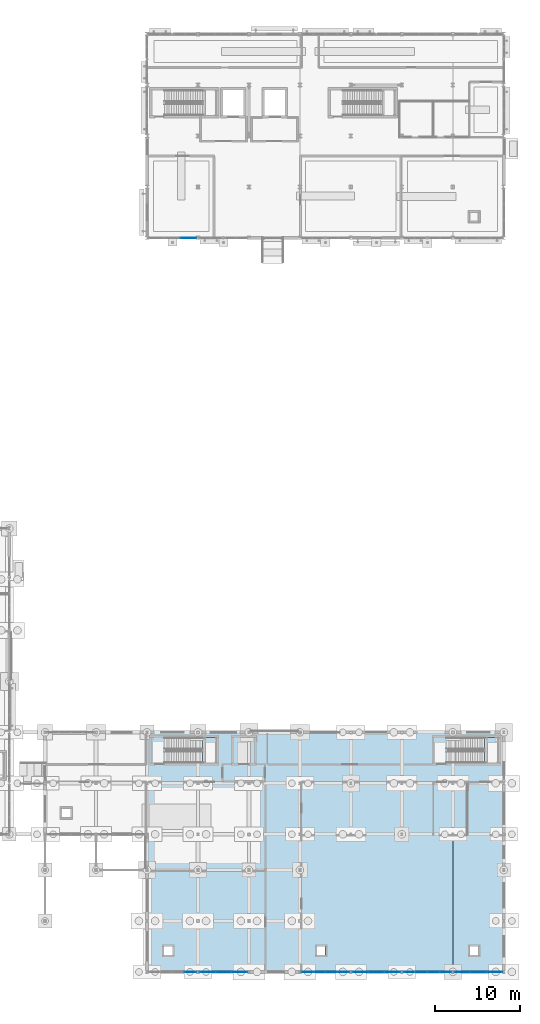
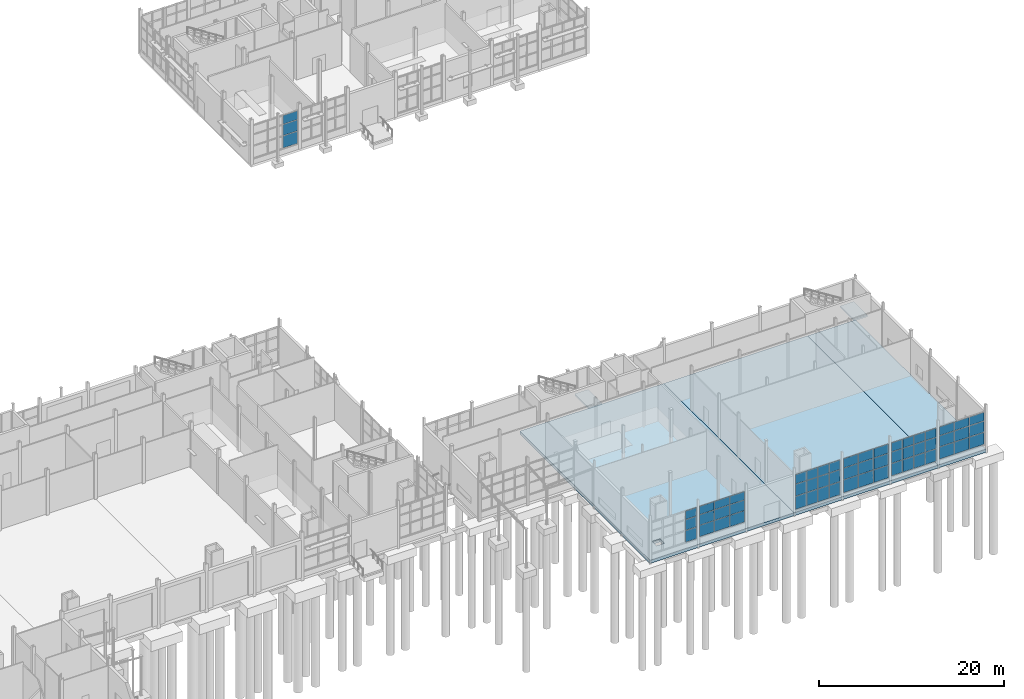
# One storey, part 74 of 120: 57 plates, 5 slabs, 9 elements without a shape of their own.
"""IFC4 building model written with IfcOpenShell, lengths in metres."""

from ifc_helpers import new_model, si_unit, direction, frame, origin, origin_2d, place, context, subcontext, project, spatial, polyline, rectangle, outline, extrude, material, layer, layer_set, type_object, element, aggregate, save


model = new_model("IFC4")

# Units and contexts
model_context = context("Model", 3, precision=1e-05, world=origin(), true_north=direction((0.0, 1.0)))
body_context = subcontext(model_context, "Body", "Model", "MODEL_VIEW")
ifc_project = project(units=[si_unit("LENGTHUNIT", "METRE"), si_unit("AREAUNIT", "SQUARE_METRE"), si_unit("VOLUMEUNIT", "CUBIC_METRE"), si_unit("PLANEANGLEUNIT", "RADIAN"), si_unit("MASSUNIT", "GRAM", prefix="KILO")], contexts=[model_context])

# Site, building, storey
site_placement = place(None, origin())
site = spatial("IfcSite", under=ifc_project, at=site_placement, CompositionType="ELEMENT")
building_placement = place(site_placement, origin())
building = spatial("IfcBuilding", under=site, at=building_placement, Name="Siltcreek Boulevard Central Fire Station", CompositionType="ELEMENT")
storey_placement = place(building_placement, origin())
storey = spatial("IfcBuildingStorey", under=building, at=storey_placement, Name="L01", CompositionType="ELEMENT", Elevation=0.0)

# Curtain wall, plates
ifc_material_1 = material(Name="Anodized aluminum and low-E insulated glazing", Category="aluminium")
curtain_wall_type_1 = type_object("IfcCurtainWallType", Name="CW_SYS_10", PredefinedType="USERDEFINED", material=ifc_material_1)
curtain_wall_1_placement = place(storey_placement, origin())
curtain_wall_1 = element("IfcCurtainWall", 1, at=curtain_wall_1_placement, inside=storey, type_object=curtain_wall_type_1, Name="L01 V5 unitised curtain wall CW-099", ObjectType="CURTAIN WALL", PredefinedType="USERDEFINED")
ifc_material_2 = material(Name="Low-E double insulated glass unit", Category="glass")
ifc_layer_1 = layer(ifc_material_2, 0.028076171875, Name="Low-E double insulated glass unit")
ifc_layer_set_1 = layer_set([ifc_layer_1], Name="Low-E double insulated glass unit")
plate_type_1 = type_object("IfcPlateType", Name="CWP_GLZ_1", PredefinedType="CURTAIN_PANEL", material=ifc_layer_set_1)
plate_1_placement = place(storey_placement, frame((129.08837890625, 88.199951171875, 0.740234375), z_axis=(0.0, 0.0, 1.0), x_axis=(1.0, 0.0, 0.0)))
plate_1 = element("IfcPlate", 2, at=plate_1_placement, type_object=plate_type_1, Name="CW-099 panel 3.1", PredefinedType="CURTAIN_PANEL", context=body_context, shape_type="SweptSolid", body=[
    extrude(rectangle(XDim=1.813232421875, YDim=0.028076171875, at=origin_2d()), origin(), (0.0, 0.0, 1.0), 1.594482421875),
])
plate_2_placement = place(storey_placement, frame((129.08837890625, 88.199951171875, 2.39453125), z_axis=(0.0, 0.0, 1.0), x_axis=(1.0, 0.0, 0.0)))
plate_2 = element("IfcPlate", 3, at=plate_2_placement, type_object=plate_type_1, Name="CW-099 panel 3.2", PredefinedType="CURTAIN_PANEL", context=body_context, shape_type="SweptSolid", body=[
    extrude(rectangle(XDim=1.813232421875, YDim=0.028076171875, at=origin_2d()), origin(), (0.0, 0.0, 1.0), 1.447265625),
])
plate_3_placement = place(storey_placement, frame((129.08837890625, 88.199951171875, 3.90185546875), z_axis=(0.0, 0.0, 1.0), x_axis=(1.0, 0.0, 0.0)))
plate_3 = element("IfcPlate", 4, at=plate_3_placement, type_object=plate_type_1, Name="CW-099 panel 3.3", PredefinedType="CURTAIN_PANEL", context=body_context, shape_type="SweptSolid", body=[
    extrude(rectangle(XDim=1.813232421875, YDim=0.028076171875, at=origin_2d()), origin(), (0.0, 0.0, 1.0), 1.151123046875),
])
aggregate(curtain_wall_1, [plate_1, plate_2, plate_3])

curtain_wall_type_2 = type_object("IfcCurtainWallType", Name="CW_SYS_07", PredefinedType="USERDEFINED", material=ifc_material_1)
curtain_wall_2_placement = place(storey_placement, origin())
curtain_wall_2 = element("IfcCurtainWall", 5, at=curtain_wall_2_placement, inside=storey, type_object=curtain_wall_type_2, Name="L01 V6 unitised curtain wall CW-186", ObjectType="CURTAIN WALL", PredefinedType="USERDEFINED")
plate_4_placement = place(storey_placement, frame((143.074951171875, 1.800048828125, 0.38525390625), z_axis=(0.0, 0.0, 1.0), x_axis=(1.0, 0.0, 0.0)))
plate_4 = element("IfcPlate", 6, at=plate_4_placement, type_object=plate_type_1, Name="CW-186 panel 1.1", PredefinedType="CURTAIN_PANEL", context=body_context, shape_type="SweptSolid", body=[
    extrude(rectangle(XDim=1.330078125, YDim=0.028076171875, at=origin_2d()), origin(), (0.0, 0.0, 1.0), 1.694091796875),
])
plate_5_placement = place(storey_placement, frame((143.074951171875, 1.800048828125, 2.144287109375), z_axis=(0.0, 0.0, 1.0), x_axis=(1.0, 0.0, 0.0)))
plate_5 = element("IfcPlate", 7, at=plate_5_placement, type_object=plate_type_1, Name="CW-186 panel 1.2", PredefinedType="CURTAIN_PANEL", context=body_context, shape_type="SweptSolid", body=[
    extrude(rectangle(XDim=1.330078125, YDim=0.028076171875, at=origin_2d()), origin(), (0.0, 0.0, 1.0), 1.5380859375),
])
plate_6_placement = place(storey_placement, frame((143.074951171875, 1.800048828125, 3.747314453125), z_axis=(0.0, 0.0, 1.0), x_axis=(1.0, 0.0, 0.0)))
plate_6 = element("IfcPlate", 8, at=plate_6_placement, type_object=plate_type_1, Name="CW-186 panel 1.3", PredefinedType="CURTAIN_PANEL", context=body_context, shape_type="SweptSolid", body=[
    extrude(rectangle(XDim=1.330078125, YDim=0.028076171875, at=origin_2d()), origin(), (0.0, 0.0, 1.0), 1.22265625),
])
plate_7_placement = place(storey_placement, frame((144.486328125, 1.800048828125, 0.38525390625), z_axis=(0.0, 0.0, 1.0), x_axis=(1.0, 0.0, 0.0)))
plate_7 = element("IfcPlate", 9, at=plate_7_placement, type_object=plate_type_1, Name="CW-186 panel 2.1", PredefinedType="CURTAIN_PANEL", context=body_context, shape_type="SweptSolid", body=[
    extrude(rectangle(XDim=1.362548828125, YDim=0.028076171875, at=origin_2d()), origin(), (0.0, 0.0, 1.0), 1.694091796875),
])
plate_8_placement = place(storey_placement, frame((144.486328125, 1.800048828125, 2.144287109375), z_axis=(0.0, 0.0, 1.0), x_axis=(1.0, 0.0, 0.0)))
plate_8 = element("IfcPlate", 10, at=plate_8_placement, type_object=plate_type_1, Name="CW-186 panel 2.2", PredefinedType="CURTAIN_PANEL", context=body_context, shape_type="SweptSolid", body=[
    extrude(rectangle(XDim=1.362548828125, YDim=0.028076171875, at=origin_2d()), origin(), (0.0, 0.0, 1.0), 1.5380859375),
])
plate_9_placement = place(storey_placement, frame((144.486328125, 1.800048828125, 3.747314453125), z_axis=(0.0, 0.0, 1.0), x_axis=(1.0, 0.0, 0.0)))
plate_9 = element("IfcPlate", 11, at=plate_9_placement, type_object=plate_type_1, Name="CW-186 panel 2.3", PredefinedType="CURTAIN_PANEL", context=body_context, shape_type="SweptSolid", body=[
    extrude(rectangle(XDim=1.362548828125, YDim=0.028076171875, at=origin_2d()), origin(), (0.0, 0.0, 1.0), 1.22265625),
])
plate_10_placement = place(storey_placement, frame((145.913818359375, 1.800048828125, 0.38525390625), z_axis=(0.0, 0.0, 1.0), x_axis=(1.0, 0.0, 0.0)))
plate_10 = element("IfcPlate", 12, at=plate_10_placement, type_object=plate_type_1, Name="CW-186 panel 3.1", PredefinedType="CURTAIN_PANEL", context=body_context, shape_type="SweptSolid", body=[
    extrude(rectangle(XDim=1.362548828125, YDim=0.028076171875, at=origin_2d()), origin(), (0.0, 0.0, 1.0), 1.694091796875),
])
plate_11_placement = place(storey_placement, frame((145.913818359375, 1.800048828125, 2.144287109375), z_axis=(0.0, 0.0, 1.0), x_axis=(1.0, 0.0, 0.0)))
plate_11 = element("IfcPlate", 13, at=plate_11_placement, type_object=plate_type_1, Name="CW-186 panel 3.2", PredefinedType="CURTAIN_PANEL", context=body_context, shape_type="SweptSolid", body=[
    extrude(rectangle(XDim=1.362548828125, YDim=0.028076171875, at=origin_2d()), origin(), (0.0, 0.0, 1.0), 1.5380859375),
])
plate_12_placement = place(storey_placement, frame((145.913818359375, 1.800048828125, 3.747314453125), z_axis=(0.0, 0.0, 1.0), x_axis=(1.0, 0.0, 0.0)))
plate_12 = element("IfcPlate", 14, at=plate_12_placement, type_object=plate_type_1, Name="CW-186 panel 3.3", PredefinedType="CURTAIN_PANEL", context=body_context, shape_type="SweptSolid", body=[
    extrude(rectangle(XDim=1.362548828125, YDim=0.028076171875, at=origin_2d()), origin(), (0.0, 0.0, 1.0), 1.22265625),
])
plate_13_placement = place(storey_placement, frame((147.324951171875, 1.800048828125, 0.38525390625), z_axis=(0.0, 0.0, 1.0), x_axis=(1.0, 0.0, 0.0)))
plate_13 = element("IfcPlate", 15, at=plate_13_placement, type_object=plate_type_1, Name="CW-186 panel 4.1", PredefinedType="CURTAIN_PANEL", context=body_context, shape_type="SweptSolid", body=[
    extrude(rectangle(XDim=1.330078125, YDim=0.028076171875, at=origin_2d()), origin(), (0.0, 0.0, 1.0), 1.694091796875),
])
plate_14_placement = place(storey_placement, frame((147.324951171875, 1.800048828125, 2.144287109375), z_axis=(0.0, 0.0, 1.0), x_axis=(1.0, 0.0, 0.0)))
plate_14 = element("IfcPlate", 16, at=plate_14_placement, type_object=plate_type_1, Name="CW-186 panel 4.2", PredefinedType="CURTAIN_PANEL", context=body_context, shape_type="SweptSolid", body=[
    extrude(rectangle(XDim=1.330078125, YDim=0.028076171875, at=origin_2d()), origin(), (0.0, 0.0, 1.0), 1.5380859375),
])
plate_15_placement = place(storey_placement, frame((147.324951171875, 1.800048828125, 3.747314453125), z_axis=(0.0, 0.0, 1.0), x_axis=(1.0, 0.0, 0.0)))
plate_15 = element("IfcPlate", 17, at=plate_15_placement, type_object=plate_type_1, Name="CW-186 panel 4.3", PredefinedType="CURTAIN_PANEL", context=body_context, shape_type="SweptSolid", body=[
    extrude(rectangle(XDim=1.330078125, YDim=0.028076171875, at=origin_2d()), origin(), (0.0, 0.0, 1.0), 1.22265625),
])
aggregate(curtain_wall_2, [plate_4, plate_5, plate_6, plate_7, plate_8, plate_9, plate_10, plate_11, plate_12, plate_13, plate_14, plate_15])

curtain_wall_3_placement = place(storey_placement, origin())
curtain_wall_3 = element("IfcCurtainWall", 18, at=curtain_wall_3_placement, inside=storey, type_object=curtain_wall_type_1, Name="L01 V6 unitised curtain wall CW-189", ObjectType="CURTAIN WALL", PredefinedType="USERDEFINED")
plate_16_placement = place(storey_placement, frame((161.311767578125, 1.800048828125, 0.739990234375), z_axis=(0.0, 0.0, 1.0), x_axis=(1.0, 0.0, 0.0)))
plate_16 = element("IfcPlate", 19, at=plate_16_placement, type_object=plate_type_1, Name="CW-189 panel 1.1", PredefinedType="CURTAIN_PANEL", context=body_context, shape_type="SweptSolid", body=[
    extrude(rectangle(XDim=1.813232421875, YDim=0.028076171875, at=origin_2d()), origin(), (0.0, 0.0, 1.0), 1.56494140625),
])
plate_17_placement = place(storey_placement, frame((161.311767578125, 1.800048828125, 2.36474609375), z_axis=(0.0, 0.0, 1.0), x_axis=(1.0, 0.0, 0.0)))
plate_17 = element("IfcPlate", 20, at=plate_17_placement, type_object=plate_type_1, Name="CW-189 panel 1.2", PredefinedType="CURTAIN_PANEL", context=body_context, shape_type="SweptSolid", body=[
    extrude(rectangle(XDim=1.813232421875, YDim=0.028076171875, at=origin_2d()), origin(), (0.0, 0.0, 1.0), 1.420654296875),
])
plate_18_placement = place(storey_placement, frame((161.311767578125, 1.800048828125, 3.845703125), z_axis=(0.0, 0.0, 1.0), x_axis=(1.0, 0.0, 0.0)))
plate_18 = element("IfcPlate", 21, at=plate_18_placement, type_object=plate_type_1, Name="CW-189 panel 1.3", PredefinedType="CURTAIN_PANEL", context=body_context, shape_type="SweptSolid", body=[
    extrude(rectangle(XDim=1.813232421875, YDim=0.028076171875, at=origin_2d()), origin(), (0.0, 0.0, 1.0), 1.12939453125),
])
plate_19_placement = place(storey_placement, frame((163.199951171875, 1.800048828125, 0.739990234375), z_axis=(0.0, 0.0, 1.0), x_axis=(1.0, 0.0, 0.0)))
plate_19 = element("IfcPlate", 22, at=plate_19_placement, type_object=plate_type_1, Name="CW-189 panel 2.1", PredefinedType="CURTAIN_PANEL", context=body_context, shape_type="SweptSolid", body=[
    extrude(rectangle(XDim=1.84326171875, YDim=0.028076171875, at=origin_2d()), origin(), (0.0, 0.0, 1.0), 1.56494140625),
])
plate_20_placement = place(storey_placement, frame((163.199951171875, 1.800048828125, 2.36474609375), z_axis=(0.0, 0.0, 1.0), x_axis=(1.0, 0.0, 0.0)))
plate_20 = element("IfcPlate", 23, at=plate_20_placement, type_object=plate_type_1, Name="CW-189 panel 2.2", PredefinedType="CURTAIN_PANEL", context=body_context, shape_type="SweptSolid", body=[
    extrude(rectangle(XDim=1.84326171875, YDim=0.028076171875, at=origin_2d()), origin(), (0.0, 0.0, 1.0), 1.420654296875),
])
plate_21_placement = place(storey_placement, frame((163.199951171875, 1.800048828125, 3.845703125), z_axis=(0.0, 0.0, 1.0), x_axis=(1.0, 0.0, 0.0)))
plate_21 = element("IfcPlate", 24, at=plate_21_placement, type_object=plate_type_1, Name="CW-189 panel 2.3", PredefinedType="CURTAIN_PANEL", context=body_context, shape_type="SweptSolid", body=[
    extrude(rectangle(XDim=1.84326171875, YDim=0.028076171875, at=origin_2d()), origin(), (0.0, 0.0, 1.0), 1.12939453125),
])
plate_22_placement = place(storey_placement, frame((165.08837890625, 1.800048828125, 0.739990234375), z_axis=(0.0, 0.0, 1.0), x_axis=(1.0, 0.0, 0.0)))
plate_22 = element("IfcPlate", 25, at=plate_22_placement, type_object=plate_type_1, Name="CW-189 panel 3.1", PredefinedType="CURTAIN_PANEL", context=body_context, shape_type="SweptSolid", body=[
    extrude(rectangle(XDim=1.813232421875, YDim=0.028076171875, at=origin_2d()), origin(), (0.0, 0.0, 1.0), 1.56494140625),
])
plate_23_placement = place(storey_placement, frame((165.08837890625, 1.800048828125, 2.36474609375), z_axis=(0.0, 0.0, 1.0), x_axis=(1.0, 0.0, 0.0)))
plate_23 = element("IfcPlate", 26, at=plate_23_placement, type_object=plate_type_1, Name="CW-189 panel 3.2", PredefinedType="CURTAIN_PANEL", context=body_context, shape_type="SweptSolid", body=[
    extrude(rectangle(XDim=1.813232421875, YDim=0.028076171875, at=origin_2d()), origin(), (0.0, 0.0, 1.0), 1.420654296875),
])
plate_24_placement = place(storey_placement, frame((165.08837890625, 1.800048828125, 3.845703125), z_axis=(0.0, 0.0, 1.0), x_axis=(1.0, 0.0, 0.0)))
plate_24 = element("IfcPlate", 27, at=plate_24_placement, type_object=plate_type_1, Name="CW-189 panel 3.3", PredefinedType="CURTAIN_PANEL", context=body_context, shape_type="SweptSolid", body=[
    extrude(rectangle(XDim=1.813232421875, YDim=0.028076171875, at=origin_2d()), origin(), (0.0, 0.0, 1.0), 1.12939453125),
])
aggregate(curtain_wall_3, [plate_16, plate_17, plate_18, plate_19, plate_20, plate_21, plate_22, plate_23, plate_24])

curtain_wall_type_3 = type_object("IfcCurtainWallType", Name="CW_SYS_05", PredefinedType="USERDEFINED", material=ifc_material_1)
curtain_wall_4_placement = place(storey_placement, origin())
curtain_wall_4 = element("IfcCurtainWall", 28, at=curtain_wall_4_placement, inside=storey, type_object=curtain_wall_type_3, Name="L01 V6 unitised curtain wall CW-184", ObjectType="CURTAIN WALL", PredefinedType="USERDEFINED")
ifc_layer_2 = layer(ifc_material_2, 0.0380859375, Name="Low-E double insulated glass unit")
ifc_layer_set_2 = layer_set([ifc_layer_2], Name="Low-E double insulated glass unit")
plate_type_2 = type_object("IfcPlateType", Name="CWP_GLZ_2", PredefinedType="CURTAIN_PANEL", material=ifc_layer_set_2)
plate_25_placement = place(storey_placement, frame((129.324951171875, 1.800048828125, 0.864990234375), z_axis=(0.0, 0.0, 1.0), x_axis=(1.0, 0.0, 0.0)))
plate_25 = element("IfcPlate", 29, at=plate_25_placement, type_object=plate_type_2, Name="CW-184 panel 4.1", PredefinedType="CURTAIN_PANEL", context=body_context, shape_type="SweptSolid", body=[
    extrude(rectangle(XDim=1.330078125, YDim=0.0380859375, at=origin_2d()), origin(), (0.0, 0.0, 1.0), 1.51171875),
])
plate_26_placement = place(storey_placement, frame((129.324951171875, 1.800048828125, 2.441650390625), z_axis=(0.0, 0.0, 1.0), x_axis=(1.0, 0.0, 0.0)))
plate_26 = element("IfcPlate", 30, at=plate_26_placement, type_object=plate_type_2, Name="CW-184 panel 4.2", PredefinedType="CURTAIN_PANEL", context=body_context, shape_type="SweptSolid", body=[
    extrude(rectangle(XDim=1.330078125, YDim=0.0380859375, at=origin_2d()), origin(), (0.0, 0.0, 1.0), 1.375),
])
plate_27_placement = place(storey_placement, frame((129.324951171875, 1.800048828125, 3.881591796875), z_axis=(0.0, 0.0, 1.0), x_axis=(1.0, 0.0, 0.0)))
plate_27 = element("IfcPlate", 31, at=plate_27_placement, type_object=plate_type_2, Name="CW-184 panel 4.3", PredefinedType="CURTAIN_PANEL", context=body_context, shape_type="SweptSolid", body=[
    extrude(rectangle(XDim=1.330078125, YDim=0.0380859375, at=origin_2d()), origin(), (0.0, 0.0, 1.0), 1.08837890625),
])
aggregate(curtain_wall_4, [plate_25, plate_26, plate_27])

curtain_wall_type_4 = type_object("IfcCurtainWallType", Name="CW_SYS_08", PredefinedType="USERDEFINED", material=ifc_material_1)
curtain_wall_5_placement = place(storey_placement, origin())
curtain_wall_5 = element("IfcCurtainWall", 32, at=curtain_wall_5_placement, inside=storey, type_object=curtain_wall_type_4, Name="L01 V6 unitised curtain wall CW-187", ObjectType="CURTAIN WALL", PredefinedType="USERDEFINED")
plate_28_placement = place(storey_placement, frame((149.311767578125, 1.800048828125, 0.5), z_axis=(0.0, 0.0, 1.0), x_axis=(1.0, 0.0, 0.0)))
plate_28 = element("IfcPlate", 33, at=plate_28_placement, type_object=plate_type_2, Name="CW-187 panel 1.1", PredefinedType="CURTAIN_PANEL", context=body_context, shape_type="SweptSolid", body=[
    extrude(rectangle(XDim=1.813232421875, YDim=0.0380859375, at=origin_2d()), origin(), (0.0, 0.0, 1.0), 1.656005859375),
])
plate_29_placement = place(storey_placement, frame((149.311767578125, 1.800048828125, 2.21630859375), z_axis=(0.0, 0.0, 1.0), x_axis=(1.0, 0.0, 0.0)))
plate_29 = element("IfcPlate", 34, at=plate_29_placement, type_object=plate_type_2, Name="CW-187 panel 1.2", PredefinedType="CURTAIN_PANEL", context=body_context, shape_type="SweptSolid", body=[
    extrude(rectangle(XDim=1.813232421875, YDim=0.0380859375, at=origin_2d()), origin(), (0.0, 0.0, 1.0), 1.502197265625),
])
plate_30_placement = place(storey_placement, frame((149.311767578125, 1.800048828125, 3.7783203125), z_axis=(0.0, 0.0, 1.0), x_axis=(1.0, 0.0, 0.0)))
plate_30 = element("IfcPlate", 35, at=plate_30_placement, type_object=plate_type_2, Name="CW-187 panel 1.3", PredefinedType="CURTAIN_PANEL", context=body_context, shape_type="SweptSolid", body=[
    extrude(rectangle(XDim=1.813232421875, YDim=0.0380859375, at=origin_2d()), origin(), (0.0, 0.0, 1.0), 1.196533203125),
])
plate_31_placement = place(storey_placement, frame((151.199951171875, 1.800048828125, 0.5), z_axis=(0.0, 0.0, 1.0), x_axis=(1.0, 0.0, 0.0)))
plate_31 = element("IfcPlate", 36, at=plate_31_placement, type_object=plate_type_2, Name="CW-187 panel 2.1", PredefinedType="CURTAIN_PANEL", context=body_context, shape_type="SweptSolid", body=[
    extrude(rectangle(XDim=1.84326171875, YDim=0.0380859375, at=origin_2d()), origin(), (0.0, 0.0, 1.0), 1.656005859375),
])
plate_32_placement = place(storey_placement, frame((151.199951171875, 1.800048828125, 2.21630859375), z_axis=(0.0, 0.0, 1.0), x_axis=(1.0, 0.0, 0.0)))
plate_32 = element("IfcPlate", 37, at=plate_32_placement, type_object=plate_type_2, Name="CW-187 panel 2.2", PredefinedType="CURTAIN_PANEL", context=body_context, shape_type="SweptSolid", body=[
    extrude(rectangle(XDim=1.84326171875, YDim=0.0380859375, at=origin_2d()), origin(), (0.0, 0.0, 1.0), 1.502197265625),
])
plate_33_placement = place(storey_placement, frame((151.199951171875, 1.800048828125, 3.7783203125), z_axis=(0.0, 0.0, 1.0), x_axis=(1.0, 0.0, 0.0)))
plate_33 = element("IfcPlate", 38, at=plate_33_placement, type_object=plate_type_2, Name="CW-187 panel 2.3", PredefinedType="CURTAIN_PANEL", context=body_context, shape_type="SweptSolid", body=[
    extrude(rectangle(XDim=1.84326171875, YDim=0.0380859375, at=origin_2d()), origin(), (0.0, 0.0, 1.0), 1.196533203125),
])
plate_34_placement = place(storey_placement, frame((153.08837890625, 1.800048828125, 0.5), z_axis=(0.0, 0.0, 1.0), x_axis=(1.0, 0.0, 0.0)))
plate_34 = element("IfcPlate", 39, at=plate_34_placement, type_object=plate_type_2, Name="CW-187 panel 3.1", PredefinedType="CURTAIN_PANEL", context=body_context, shape_type="SweptSolid", body=[
    extrude(rectangle(XDim=1.813232421875, YDim=0.0380859375, at=origin_2d()), origin(), (0.0, 0.0, 1.0), 1.656005859375),
])
plate_35_placement = place(storey_placement, frame((153.08837890625, 1.800048828125, 2.21630859375), z_axis=(0.0, 0.0, 1.0), x_axis=(1.0, 0.0, 0.0)))
plate_35 = element("IfcPlate", 40, at=plate_35_placement, type_object=plate_type_2, Name="CW-187 panel 3.2", PredefinedType="CURTAIN_PANEL", context=body_context, shape_type="SweptSolid", body=[
    extrude(rectangle(XDim=1.813232421875, YDim=0.0380859375, at=origin_2d()), origin(), (0.0, 0.0, 1.0), 1.502197265625),
])
plate_36_placement = place(storey_placement, frame((153.08837890625, 1.800048828125, 3.7783203125), z_axis=(0.0, 0.0, 1.0), x_axis=(1.0, 0.0, 0.0)))
plate_36 = element("IfcPlate", 41, at=plate_36_placement, type_object=plate_type_2, Name="CW-187 panel 3.3", PredefinedType="CURTAIN_PANEL", context=body_context, shape_type="SweptSolid", body=[
    extrude(rectangle(XDim=1.813232421875, YDim=0.0380859375, at=origin_2d()), origin(), (0.0, 0.0, 1.0), 1.196533203125),
])
aggregate(curtain_wall_5, [plate_28, plate_29, plate_30, plate_31, plate_32, plate_33, plate_34, plate_35, plate_36])

curtain_wall_type_5 = type_object("IfcCurtainWallType", Name="CW_SYS_06", PredefinedType="USERDEFINED", material=ifc_material_1)
curtain_wall_6_placement = place(storey_placement, origin())
curtain_wall_6 = element("IfcCurtainWall", 42, at=curtain_wall_6_placement, inside=storey, type_object=curtain_wall_type_5, Name="L01 V6 unitised curtain wall CW-185", ObjectType="CURTAIN WALL", PredefinedType="USERDEFINED")
ifc_layer_3 = layer(ifc_material_2, 0.048095703125, Name="Low-E double insulated glass unit")
ifc_layer_set_3 = layer_set([ifc_layer_3], Name="Low-E double insulated glass unit")
plate_type_3 = type_object("IfcPlateType", Name="CWP_GLZ_3", PredefinedType="CURTAIN_PANEL", material=ifc_layer_set_3)
plate_37_placement = place(storey_placement, frame((131.311767578125, 1.800048828125, 0.97998046875), z_axis=(0.0, 0.0, 1.0), x_axis=(1.0, 0.0, 0.0)))
plate_37 = element("IfcPlate", 43, at=plate_37_placement, type_object=plate_type_3, Name="CW-185 panel 1.1", PredefinedType="CURTAIN_PANEL", context=body_context, shape_type="SweptSolid", body=[
    extrude(rectangle(XDim=1.813232421875, YDim=0.048095703125, at=origin_2d()), origin(), (0.0, 0.0, 1.0), 1.4736328125),
])
plate_38_placement = place(storey_placement, frame((131.311767578125, 1.800048828125, 2.513671875), z_axis=(0.0, 0.0, 1.0), x_axis=(1.0, 0.0, 0.0)))
plate_38 = element("IfcPlate", 44, at=plate_38_placement, type_object=plate_type_3, Name="CW-185 panel 1.2", PredefinedType="CURTAIN_PANEL", context=body_context, shape_type="SweptSolid", body=[
    extrude(rectangle(XDim=1.813232421875, YDim=0.048095703125, at=origin_2d()), origin(), (0.0, 0.0, 1.0), 1.339111328125),
])
plate_39_placement = place(storey_placement, frame((131.311767578125, 1.800048828125, 3.91259765625), z_axis=(0.0, 0.0, 1.0), x_axis=(1.0, 0.0, 0.0)))
plate_39 = element("IfcPlate", 45, at=plate_39_placement, type_object=plate_type_3, Name="CW-185 panel 1.3", PredefinedType="CURTAIN_PANEL", context=body_context, shape_type="SweptSolid", body=[
    extrude(rectangle(XDim=1.813232421875, YDim=0.048095703125, at=origin_2d()), origin(), (0.0, 0.0, 1.0), 1.062255859375),
])
plate_40_placement = place(storey_placement, frame((133.199951171875, 1.800048828125, 0.97998046875), z_axis=(0.0, 0.0, 1.0), x_axis=(1.0, 0.0, 0.0)))
plate_40 = element("IfcPlate", 46, at=plate_40_placement, type_object=plate_type_3, Name="CW-185 panel 2.1", PredefinedType="CURTAIN_PANEL", context=body_context, shape_type="SweptSolid", body=[
    extrude(rectangle(XDim=1.84326171875, YDim=0.048095703125, at=origin_2d()), origin(), (0.0, 0.0, 1.0), 1.4736328125),
])
plate_41_placement = place(storey_placement, frame((133.199951171875, 1.800048828125, 2.513671875), z_axis=(0.0, 0.0, 1.0), x_axis=(1.0, 0.0, 0.0)))
plate_41 = element("IfcPlate", 47, at=plate_41_placement, type_object=plate_type_3, Name="CW-185 panel 2.2", PredefinedType="CURTAIN_PANEL", context=body_context, shape_type="SweptSolid", body=[
    extrude(rectangle(XDim=1.84326171875, YDim=0.048095703125, at=origin_2d()), origin(), (0.0, 0.0, 1.0), 1.339111328125),
])
plate_42_placement = place(storey_placement, frame((133.199951171875, 1.800048828125, 3.91259765625), z_axis=(0.0, 0.0, 1.0), x_axis=(1.0, 0.0, 0.0)))
plate_42 = element("IfcPlate", 48, at=plate_42_placement, type_object=plate_type_3, Name="CW-185 panel 2.3", PredefinedType="CURTAIN_PANEL", context=body_context, shape_type="SweptSolid", body=[
    extrude(rectangle(XDim=1.84326171875, YDim=0.048095703125, at=origin_2d()), origin(), (0.0, 0.0, 1.0), 1.062255859375),
])
plate_43_placement = place(storey_placement, frame((135.08837890625, 1.800048828125, 0.97998046875), z_axis=(0.0, 0.0, 1.0), x_axis=(1.0, 0.0, 0.0)))
plate_43 = element("IfcPlate", 49, at=plate_43_placement, type_object=plate_type_3, Name="CW-185 panel 3.1", PredefinedType="CURTAIN_PANEL", context=body_context, shape_type="SweptSolid", body=[
    extrude(rectangle(XDim=1.813232421875, YDim=0.048095703125, at=origin_2d()), origin(), (0.0, 0.0, 1.0), 1.4736328125),
])
plate_44_placement = place(storey_placement, frame((135.08837890625, 1.800048828125, 2.513671875), z_axis=(0.0, 0.0, 1.0), x_axis=(1.0, 0.0, 0.0)))
plate_44 = element("IfcPlate", 50, at=plate_44_placement, type_object=plate_type_3, Name="CW-185 panel 3.2", PredefinedType="CURTAIN_PANEL", context=body_context, shape_type="SweptSolid", body=[
    extrude(rectangle(XDim=1.813232421875, YDim=0.048095703125, at=origin_2d()), origin(), (0.0, 0.0, 1.0), 1.339111328125),
])
plate_45_placement = place(storey_placement, frame((135.08837890625, 1.800048828125, 3.91259765625), z_axis=(0.0, 0.0, 1.0), x_axis=(1.0, 0.0, 0.0)))
plate_45 = element("IfcPlate", 51, at=plate_45_placement, type_object=plate_type_3, Name="CW-185 panel 3.3", PredefinedType="CURTAIN_PANEL", context=body_context, shape_type="SweptSolid", body=[
    extrude(rectangle(XDim=1.813232421875, YDim=0.048095703125, at=origin_2d()), origin(), (0.0, 0.0, 1.0), 1.062255859375),
])
aggregate(curtain_wall_6, [plate_37, plate_38, plate_39, plate_40, plate_41, plate_42, plate_43, plate_44, plate_45])

curtain_wall_type_6 = type_object("IfcCurtainWallType", Name="CW_SYS_09", PredefinedType="USERDEFINED", material=ifc_material_1)
curtain_wall_7_placement = place(storey_placement, origin())
curtain_wall_7 = element("IfcCurtainWall", 52, at=curtain_wall_7_placement, inside=storey, type_object=curtain_wall_type_6, Name="L01 V6 unitised curtain wall CW-188", ObjectType="CURTAIN WALL", PredefinedType="USERDEFINED")
plate_46_placement = place(storey_placement, frame((155.074951171875, 1.800048828125, 0.625), z_axis=(0.0, 0.0, 1.0), x_axis=(1.0, 0.0, 0.0)))
plate_46 = element("IfcPlate", 53, at=plate_46_placement, type_object=plate_type_3, Name="CW-188 panel 1.1", PredefinedType="CURTAIN_PANEL", context=body_context, shape_type="SweptSolid", body=[
    extrude(rectangle(XDim=1.330078125, YDim=0.048095703125, at=origin_2d()), origin(), (0.0, 0.0, 1.0), 1.60302734375),
])
plate_47_placement = place(storey_placement, frame((155.074951171875, 1.800048828125, 2.29296875), z_axis=(0.0, 0.0, 1.0), x_axis=(1.0, 0.0, 0.0)))
plate_47 = element("IfcPlate", 54, at=plate_47_placement, type_object=plate_type_3, Name="CW-188 panel 1.2", PredefinedType="CURTAIN_PANEL", context=body_context, shape_type="SweptSolid", body=[
    extrude(rectangle(XDim=1.330078125, YDim=0.048095703125, at=origin_2d()), origin(), (0.0, 0.0, 1.0), 1.45654296875),
])
plate_48_placement = place(storey_placement, frame((155.074951171875, 1.800048828125, 3.814453125), z_axis=(0.0, 0.0, 1.0), x_axis=(1.0, 0.0, 0.0)))
plate_48 = element("IfcPlate", 55, at=plate_48_placement, type_object=plate_type_3, Name="CW-188 panel 1.3", PredefinedType="CURTAIN_PANEL", context=body_context, shape_type="SweptSolid", body=[
    extrude(rectangle(XDim=1.330078125, YDim=0.048095703125, at=origin_2d()), origin(), (0.0, 0.0, 1.0), 1.155517578125),
])
plate_49_placement = place(storey_placement, frame((156.486328125, 1.800048828125, 0.625), z_axis=(0.0, 0.0, 1.0), x_axis=(1.0, 0.0, 0.0)))
plate_49 = element("IfcPlate", 56, at=plate_49_placement, type_object=plate_type_3, Name="CW-188 panel 2.1", PredefinedType="CURTAIN_PANEL", context=body_context, shape_type="SweptSolid", body=[
    extrude(rectangle(XDim=1.362548828125, YDim=0.048095703125, at=origin_2d()), origin(), (0.0, 0.0, 1.0), 1.60302734375),
])
plate_50_placement = place(storey_placement, frame((156.486328125, 1.800048828125, 2.29296875), z_axis=(0.0, 0.0, 1.0), x_axis=(1.0, 0.0, 0.0)))
plate_50 = element("IfcPlate", 57, at=plate_50_placement, type_object=plate_type_3, Name="CW-188 panel 2.2", PredefinedType="CURTAIN_PANEL", context=body_context, shape_type="SweptSolid", body=[
    extrude(rectangle(XDim=1.362548828125, YDim=0.048095703125, at=origin_2d()), origin(), (0.0, 0.0, 1.0), 1.45654296875),
])
plate_51_placement = place(storey_placement, frame((156.486328125, 1.800048828125, 3.814453125), z_axis=(0.0, 0.0, 1.0), x_axis=(1.0, 0.0, 0.0)))
plate_51 = element("IfcPlate", 58, at=plate_51_placement, type_object=plate_type_3, Name="CW-188 panel 2.3", PredefinedType="CURTAIN_PANEL", context=body_context, shape_type="SweptSolid", body=[
    extrude(rectangle(XDim=1.362548828125, YDim=0.048095703125, at=origin_2d()), origin(), (0.0, 0.0, 1.0), 1.155517578125),
])
plate_52_placement = place(storey_placement, frame((157.913818359375, 1.800048828125, 0.625), z_axis=(0.0, 0.0, 1.0), x_axis=(1.0, 0.0, 0.0)))
plate_52 = element("IfcPlate", 59, at=plate_52_placement, type_object=plate_type_3, Name="CW-188 panel 3.1", PredefinedType="CURTAIN_PANEL", context=body_context, shape_type="SweptSolid", body=[
    extrude(rectangle(XDim=1.362548828125, YDim=0.048095703125, at=origin_2d()), origin(), (0.0, 0.0, 1.0), 1.60302734375),
])
plate_53_placement = place(storey_placement, frame((157.913818359375, 1.800048828125, 2.29296875), z_axis=(0.0, 0.0, 1.0), x_axis=(1.0, 0.0, 0.0)))
plate_53 = element("IfcPlate", 60, at=plate_53_placement, type_object=plate_type_3, Name="CW-188 panel 3.2", PredefinedType="CURTAIN_PANEL", context=body_context, shape_type="SweptSolid", body=[
    extrude(rectangle(XDim=1.362548828125, YDim=0.048095703125, at=origin_2d()), origin(), (0.0, 0.0, 1.0), 1.45654296875),
])
plate_54_placement = place(storey_placement, frame((157.913818359375, 1.800048828125, 3.814453125), z_axis=(0.0, 0.0, 1.0), x_axis=(1.0, 0.0, 0.0)))
plate_54 = element("IfcPlate", 61, at=plate_54_placement, type_object=plate_type_3, Name="CW-188 panel 3.3", PredefinedType="CURTAIN_PANEL", context=body_context, shape_type="SweptSolid", body=[
    extrude(rectangle(XDim=1.362548828125, YDim=0.048095703125, at=origin_2d()), origin(), (0.0, 0.0, 1.0), 1.155517578125),
])
plate_55_placement = place(storey_placement, frame((159.324951171875, 1.800048828125, 0.625), z_axis=(0.0, 0.0, 1.0), x_axis=(1.0, 0.0, 0.0)))
plate_55 = element("IfcPlate", 62, at=plate_55_placement, type_object=plate_type_3, Name="CW-188 panel 4.1", PredefinedType="CURTAIN_PANEL", context=body_context, shape_type="SweptSolid", body=[
    extrude(rectangle(XDim=1.330078125, YDim=0.048095703125, at=origin_2d()), origin(), (0.0, 0.0, 1.0), 1.60302734375),
])
plate_56_placement = place(storey_placement, frame((159.324951171875, 1.800048828125, 2.29296875), z_axis=(0.0, 0.0, 1.0), x_axis=(1.0, 0.0, 0.0)))
plate_56 = element("IfcPlate", 63, at=plate_56_placement, type_object=plate_type_3, Name="CW-188 panel 4.2", PredefinedType="CURTAIN_PANEL", context=body_context, shape_type="SweptSolid", body=[
    extrude(rectangle(XDim=1.330078125, YDim=0.048095703125, at=origin_2d()), origin(), (0.0, 0.0, 1.0), 1.45654296875),
])
plate_57_placement = place(storey_placement, frame((159.324951171875, 1.800048828125, 3.814453125), z_axis=(0.0, 0.0, 1.0), x_axis=(1.0, 0.0, 0.0)))
plate_57 = element("IfcPlate", 64, at=plate_57_placement, type_object=plate_type_3, Name="CW-188 panel 4.3", PredefinedType="CURTAIN_PANEL", context=body_context, shape_type="SweptSolid", body=[
    extrude(rectangle(XDim=1.330078125, YDim=0.048095703125, at=origin_2d()), origin(), (0.0, 0.0, 1.0), 1.155517578125),
])
aggregate(curtain_wall_7, [plate_46, plate_47, plate_48, plate_49, plate_50, plate_51, plate_52, plate_53, plate_54, plate_55, plate_56, plate_57])

# Slabs
ifc_material_3 = material(Name="Concrete C35/45", Category="concrete")
ifc_layer_4 = layer(ifc_material_3, 0.409912109375, Name="Concrete C35/45")
ifc_layer_set_4 = layer_set([ifc_layer_4], Name="Concrete C35/45")
slab_type_1 = type_object("IfcSlabType", Name="SL_BASE350", PredefinedType="BASESLAB", material=ifc_layer_set_4)
slab_1_placement = place(storey_placement, frame((0.0, 0.0, -0.409912109375)))
element("IfcSlab", 65, at=slab_1_placement, inside=storey, type_object=slab_type_1, Name="L01 V6 structural floor slab SL-015", PredefinedType="BASESLAB", context=body_context, shape_type="SweptSolid", body=[
    extrude(outline(polyline([(142.199951171875, 30.0), (142.199951171875, 1.800048828125), (124.199951171875, 1.800048828125), (124.199951171875, 30.0), (142.199951171875, 30.0)]), holes=[polyline([(127.179931640625, 4.780029296875), (126.219970703125, 4.780029296875), (126.219970703125, 3.820068359375), (127.179931640625, 3.820068359375), (127.179931640625, 4.780029296875)])]), origin(), (0.0, 0.0, 1.0), 0.409912109375),
])
slab_2_placement = place(storey_placement, frame((0.0, 0.0, -0.409912109375)))
element("IfcSlab", 66, at=slab_2_placement, inside=storey, type_object=slab_type_1, Name="L01 V6 structural floor slab SL-016", PredefinedType="BASESLAB", context=body_context, shape_type="SweptSolid", body=[
    extrude(outline(polyline([(160.199951171875, 30.0), (160.199951171875, 1.800048828125), (142.199951171875, 1.800048828125), (142.199951171875, 30.0), (160.199951171875, 30.0)]), holes=[polyline([(145.179931640625, 4.780029296875), (144.219970703125, 4.780029296875), (144.219970703125, 3.820068359375), (145.179931640625, 3.820068359375), (145.179931640625, 4.780029296875)])]), origin(), (0.0, 0.0, 1.0), 0.409912109375),
])
slab_3_placement = place(storey_placement, frame((0.0, 0.0, -0.409912109375)))
element("IfcSlab", 67, at=slab_3_placement, inside=storey, type_object=slab_type_1, Name="L01 V6 structural floor slab SL-017", PredefinedType="BASESLAB", context=body_context, shape_type="SweptSolid", body=[
    extrude(outline(polyline([(166.199951171875, 30.0), (166.199951171875, 1.800048828125), (160.199951171875, 1.800048828125), (160.199951171875, 30.0), (166.199951171875, 30.0)]), holes=[polyline([(163.179931640625, 4.780029296875), (162.219970703125, 4.780029296875), (162.219970703125, 3.820068359375), (163.179931640625, 3.820068359375), (163.179931640625, 4.780029296875)])]), origin(), (0.0, 0.0, 1.0), 0.409912109375),
])

# Stair, slab
ifc_material_4 = material(Name="Precast concrete C40/50", Category="concrete")
stair_type = type_object("IfcStairType", Name="ST_DOG_H60", PredefinedType="HALF_TURN_STAIR", material=ifc_material_4)
stair_1_placement = place(storey_placement, origin())
stair_1 = element("IfcStair", 68, at=stair_1_placement, inside=storey, type_object=stair_type, Name="L01 Enclosed exit stairway ST-V6A", PredefinedType="HALF_TURN_STAIR")
ifc_layer_5 = layer(ifc_material_4, 0.199951171875, Name="Precast concrete C40/50")
ifc_layer_set_5 = layer_set([ifc_layer_5], Name="Precast concrete C40/50")
slab_type_2 = type_object("IfcSlabType", Name="SL_LAND200", PredefinedType="LANDING", material=ifc_layer_set_5)
slab_4_placement = place(storey_placement, frame((0.0, 0.0, 2.800048828125)))
slab_4 = element("IfcSlab", 69, at=slab_4_placement, type_object=slab_type_2, Name="ST-V6A landing 1", PredefinedType="LANDING", context=body_context, shape_type="SweptSolid", body=[
    extrude(outline(polyline([(130.72998046875, 26.39990234375), (132.39990234375, 26.39990234375), (132.39990234375, 29.39990234375), (130.72998046875, 29.39990234375), (130.72998046875, 26.39990234375)])), origin(), (0.0, 0.0, 1.0), 0.199951171875),
])
aggregate(stair_1, [slab_4])

stair_2_placement = place(storey_placement, origin())
stair_2 = element("IfcStair", 70, at=stair_2_placement, inside=storey, type_object=stair_type, Name="L01 Enclosed exit stairway ST-V6B", PredefinedType="HALF_TURN_STAIR")
slab_5_placement = place(storey_placement, frame((0.0, 0.0, 2.800048828125)))
slab_5 = element("IfcSlab", 71, at=slab_5_placement, type_object=slab_type_2, Name="ST-V6B landing 1", PredefinedType="LANDING", context=body_context, shape_type="SweptSolid", body=[
    extrude(outline(polyline([(163.929931640625, 26.39990234375), (165.60009765625, 26.39990234375), (165.60009765625, 29.39990234375), (163.929931640625, 29.39990234375), (163.929931640625, 26.39990234375)])), origin(), (0.0, 0.0, 1.0), 0.199951171875),
])
aggregate(stair_2, [slab_5])

save(model, "model.ifc")
